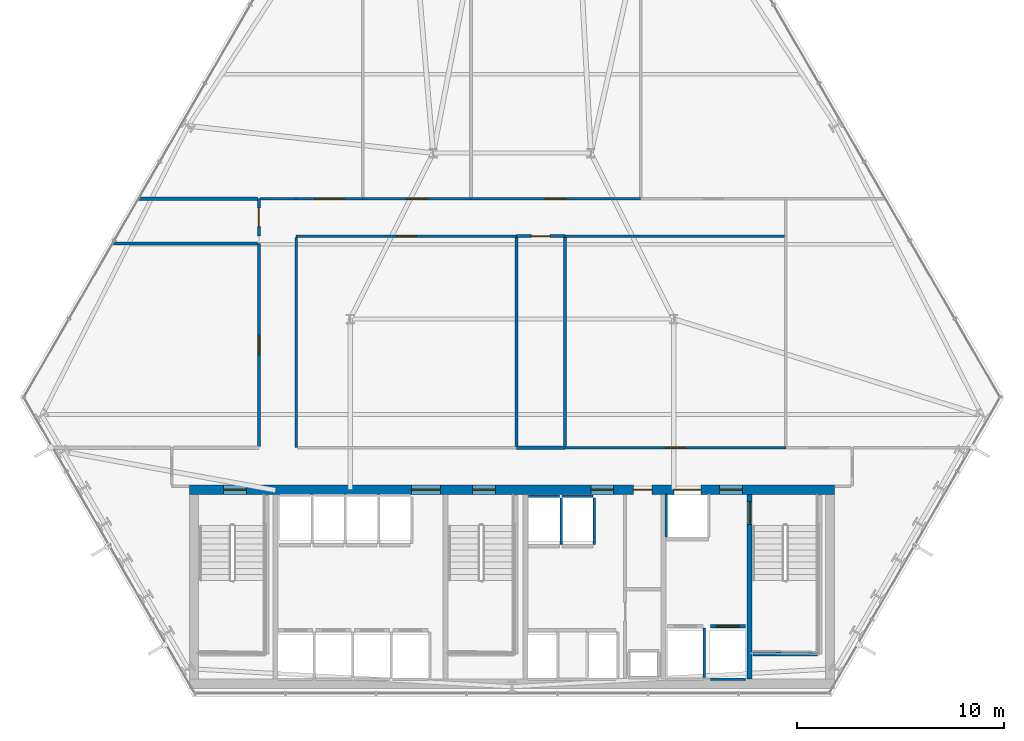
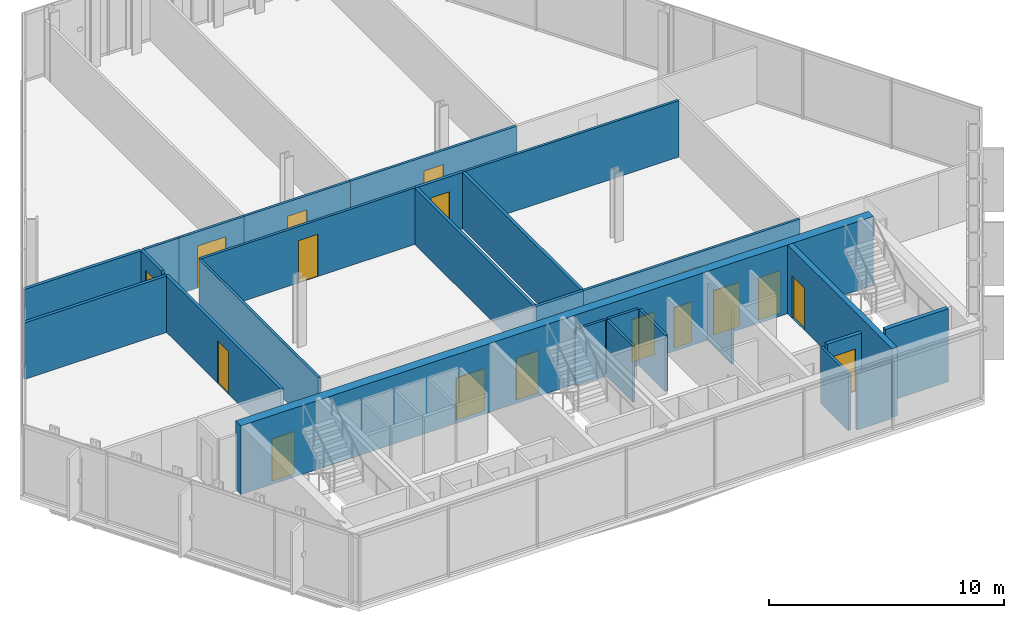
# One storey, part 28 of 33: 27 walls, 17 doors, 17 openings.
"""IFC4 building model written with IfcOpenShell, lengths in metres."""

from ifc_helpers import new_model, si_unit, direction, frame, frame_2d, origin, place, context, subcontext, project, spatial, rectangle, extrude, material, layer, layer_set, type_object, element, fill, save


model = new_model("IFC4")

# Units and contexts
model_context = context("Model", 3, precision=1e-05, world=origin(), true_north=direction((0.0, 1.0)))
body_context = subcontext(model_context, "Body", "Model", "MODEL_VIEW")
ifc_project = project(units=[si_unit("LENGTHUNIT", "METRE"), si_unit("AREAUNIT", "SQUARE_METRE"), si_unit("VOLUMEUNIT", "CUBIC_METRE"), si_unit("PLANEANGLEUNIT", "RADIAN"), si_unit("MASSUNIT", "GRAM", prefix="KILO")], contexts=[model_context])

# Site, building, storey
site_placement = place(None, origin())
site = spatial("IfcSite", under=ifc_project, at=site_placement, CompositionType="ELEMENT")
building_placement = place(site_placement, origin())
building = spatial("IfcBuilding", under=site, at=building_placement, Name="Ndaravel Arena Tower", CompositionType="ELEMENT")
storey_placement = place(building_placement, frame((0.0, 0.0, 36.0)))
storey = spatial("IfcBuildingStorey", under=building, at=storey_placement, Name="L06", CompositionType="ELEMENT", Elevation=36.0)

# Wall, opening, door
ifc_material_1 = material(Name="Concrete C60/75", Category="concrete")
ifc_layer_1 = layer(ifc_material_1, 0.25)
ifc_layer_set_1 = layer_set([ifc_layer_1], Name="Concrete C60/75")
wall_type_1 = type_object("IfcWallType", Name="WALL-CORE-250", PredefinedType="SOLIDWALL", material=ifc_layer_set_1)
wall_1_placement = place(storey_placement, frame((53.449951171875, 5.85009765625, 0.0), z_axis=(0.0, 0.0, 1.0), x_axis=(0.0, 1.0, 0.0)))
wall_1 = element("IfcWall", 1, at=wall_1_placement, inside=storey, type_object=wall_type_1, Name="L06 Core Web Shear Wall 5", PredefinedType="SOLIDWALL", context=body_context, shape_type="SweptSolid", body=[
    extrude(rectangle(XDim=8.89990234375, YDim=0.25, at=frame_2d((4.449951171875, 0.0))), origin(), (0.0, 0.0, 1.0), 3.580078125),
])
opening_1_placement = place(wall_1_placement, frame((7.449951171875, 0.0, 0.0)))
opening_1 = element("IfcOpeningElement", 2, at=opening_1_placement, cuts=wall_1, Name="Opening FD-01", PredefinedType="OPENING", context=body_context, shape_type="SweptSolid", body=[
    extrude(rectangle(XDim=1.10009765625, YDim=2.199951171875, at=frame_2d((0.550048828125, 1.10009765625))), frame((0.0, 0.125, 0.0), z_axis=(0.0, -1.0, 0.0), x_axis=(1.0, 0.0, 0.0)), (0.0, 0.0, 1.0), 0.25),
])
ifc_material_2 = material(Name="Steel S355", Category="steel")
door_type_1 = type_object("IfcDoorType", Name="DT-01-STAIR-1100", OperationType="SINGLE_SWING_LEFT", PredefinedType="DOOR", material=ifc_material_2)
door_1_placement = place(opening_1_placement, origin())
door_1 = element("IfcDoor", 3, at=door_1_placement, inside=storey, type_object=door_type_1, Name="L06 Firefighting Lobby to ST-3 Door", OperationType="SINGLE_SWING_LEFT", OverallHeight=2.199951171875, OverallWidth=1.10009765625, PredefinedType="DOOR", context=body_context, shape_type="SweptSolid", body=[
    extrude(rectangle(XDim=1.10009765625, YDim=2.199951171875, at=frame_2d((0.550048828125, 1.10009765625))), frame((0.0, 0.02490234375, 0.0), z_axis=(0.0, -1.0, 0.0), x_axis=(1.0, 0.0, 0.0)), (0.0, 0.0, 1.0), 0.050048828125),
])
fill(opening_1, door_1)

# Wall, openings, doors
ifc_material_3 = material(Name="Concrete C60/75", Category="concrete")
ifc_layer_2 = layer(ifc_material_3, 0.449951171875)
ifc_layer_set_2 = layer_set([ifc_layer_2], Name="Concrete C60/75")
wall_type_2 = type_object("IfcWallType", Name="WALL-CORE-450", PredefinedType="SOLIDWALL", material=ifc_layer_set_2)
wall_2_placement = place(storey_placement, frame((26.449951171875, 14.97509765625, 0.0), z_axis=(0.0, 0.0, 1.0), x_axis=(1.0, 0.0, 0.0)))
wall_2 = element("IfcWall", 4, at=wall_2_placement, inside=storey, type_object=wall_type_2, Name="L06 Core North Shear Wall", PredefinedType="SOLIDWALL", context=body_context, shape_type="SweptSolid", body=[
    extrude(rectangle(XDim=31.10009765625, YDim=0.449951171875, at=frame_2d((15.550048828125, 0.0))), origin(), (0.0, 0.0, 1.0), 3.580078125),
])
opening_2_placement = place(wall_2_placement, frame((1.64990234375, 0.0, 0.0)))
opening_2 = element("IfcOpeningElement", 5, at=opening_2_placement, cuts=wall_2, Name="Opening FD-01", PredefinedType="OPENING", context=body_context, shape_type="SweptSolid", body=[
    extrude(rectangle(XDim=1.10009765625, YDim=2.199951171875, at=frame_2d((0.550048828125, 1.10009765625))), frame((0.0, 0.22509765625, 0.0), z_axis=(0.0, -1.0, 0.0), x_axis=(1.0, 0.0, 0.0)), (0.0, 0.0, 1.0), 0.449951171875),
])
opening_3_placement = place(wall_2_placement, frame((13.64990234375, 0.0, 0.0)))
opening_3 = element("IfcOpeningElement", 6, at=opening_3_placement, cuts=wall_2, Name="Opening FD-01", PredefinedType="OPENING", context=body_context, shape_type="SweptSolid", body=[
    extrude(rectangle(XDim=1.10009765625, YDim=2.199951171875, at=frame_2d((0.550048828125, 1.10009765625))), frame((0.0, 0.22509765625, 0.0), z_axis=(0.0, -1.0, 0.0), x_axis=(1.0, 0.0, 0.0)), (0.0, 0.0, 1.0), 0.449951171875),
])
opening_4_placement = place(wall_2_placement, frame((25.550048828125, 0.0, 0.0)))
opening_4 = element("IfcOpeningElement", 7, at=opening_4_placement, cuts=wall_2, Name="Opening FD-01", PredefinedType="OPENING", context=body_context, shape_type="SweptSolid", body=[
    extrude(rectangle(XDim=1.10009765625, YDim=2.199951171875, at=frame_2d((0.550048828125, 1.10009765625))), frame((0.0, 0.22509765625, 0.0), z_axis=(0.0, -1.0, 0.0), x_axis=(1.0, 0.0, 0.0)), (0.0, 0.0, 1.0), 0.449951171875),
])
opening_5_placement = place(wall_2_placement, frame((10.699951171875, 0.0, 0.0)))
opening_5 = element("IfcOpeningElement", 8, at=opening_5_placement, cuts=wall_2, Name="Opening ID-02", PredefinedType="OPENING", context=body_context, shape_type="SweptSolid", body=[
    extrude(rectangle(XDim=1.39990234375, YDim=2.199951171875, at=frame_2d((0.699951171875, 1.10009765625))), frame((0.0, 0.22509765625, 0.0), z_axis=(0.0, -1.0, 0.0), x_axis=(1.0, 0.0, 0.0)), (0.0, 0.0, 1.0), 0.449951171875),
])
opening_6_placement = place(wall_2_placement, frame((19.35009765625, 0.0, 0.0)))
opening_6 = element("IfcOpeningElement", 9, at=opening_6_placement, cuts=wall_2, Name="Opening FD-01", PredefinedType="OPENING", context=body_context, shape_type="SweptSolid", body=[
    extrude(rectangle(XDim=1.10009765625, YDim=2.199951171875, at=frame_2d((0.550048828125, 1.10009765625))), frame((0.0, 0.22509765625, 0.0), z_axis=(0.0, -1.0, 0.0), x_axis=(1.0, 0.0, 0.0)), (0.0, 0.0, 1.0), 0.449951171875),
])
opening_7_placement = place(wall_2_placement, frame((21.39990234375, 0.0, 0.0)))
opening_7 = element("IfcOpeningElement", 10, at=opening_7_placement, cuts=wall_2, Name="Opening RD-01", PredefinedType="OPENING", context=body_context, shape_type="SweptSolid", body=[
    extrude(rectangle(XDim=0.89990234375, YDim=2.10009765625, at=frame_2d((0.449951171875, 1.050048828125))), frame((0.0, 0.22509765625, 0.0), z_axis=(0.0, -1.0, 0.0), x_axis=(1.0, 0.0, 0.0)), (0.0, 0.0, 1.0), 0.449951171875),
])
opening_8_placement = place(wall_2_placement, frame((23.35009765625, 0.0, 0.0)))
opening_8 = element("IfcOpeningElement", 11, at=opening_8_placement, cuts=wall_2, Name="Opening LD-02", PredefinedType="OPENING", context=body_context, shape_type="SweptSolid", body=[
    extrude(rectangle(XDim=1.300048828125, YDim=2.300048828125, at=frame_2d((0.64990234375, 1.14990234375))), frame((0.0, 0.22509765625, 0.0), z_axis=(0.0, -1.0, 0.0), x_axis=(1.0, 0.0, 0.0)), (0.0, 0.0, 1.0), 0.449951171875),
])
door_2_placement = place(opening_2_placement, origin())
door_2 = element("IfcDoor", 12, at=door_2_placement, inside=storey, type_object=door_type_1, Name="L06 Exit Stair ST-1 Door", OperationType="SINGLE_SWING_LEFT", OverallHeight=2.199951171875, OverallWidth=1.10009765625, PredefinedType="DOOR", context=body_context, shape_type="SweptSolid", body=[
    extrude(rectangle(XDim=1.10009765625, YDim=2.199951171875, at=frame_2d((0.550048828125, 1.10009765625))), frame((0.0, 0.02490234375, 0.0), z_axis=(0.0, -1.0, 0.0), x_axis=(1.0, 0.0, 0.0)), (0.0, 0.0, 1.0), 0.050048828125),
])
fill(opening_2, door_2)
door_3_placement = place(opening_3_placement, origin())
door_3 = element("IfcDoor", 13, at=door_3_placement, inside=storey, type_object=door_type_1, Name="L06 Exit Stair ST-2 Door", OperationType="SINGLE_SWING_RIGHT", OverallHeight=2.199951171875, OverallWidth=1.10009765625, PredefinedType="DOOR", context=body_context, shape_type="SweptSolid", body=[
    extrude(rectangle(XDim=1.10009765625, YDim=2.199951171875, at=frame_2d((0.550048828125, 1.10009765625))), frame((0.0, 0.02490234375, 0.0), z_axis=(0.0, -1.0, 0.0), x_axis=(1.0, 0.0, 0.0)), (0.0, 0.0, 1.0), 0.050048828125),
])
fill(opening_3, door_3)
door_4_placement = place(opening_4_placement, origin())
door_4 = element("IfcDoor", 14, at=door_4_placement, inside=storey, type_object=door_type_1, Name="L06 Firefighting Lift Lobby Door", OperationType="SINGLE_SWING_RIGHT", OverallHeight=2.199951171875, OverallWidth=1.10009765625, PredefinedType="DOOR", context=body_context, shape_type="SweptSolid", body=[
    extrude(rectangle(XDim=1.10009765625, YDim=2.199951171875, at=frame_2d((0.550048828125, 1.10009765625))), frame((0.0, 0.02490234375, 0.0), z_axis=(0.0, -1.0, 0.0), x_axis=(1.0, 0.0, 0.0)), (0.0, 0.0, 1.0), 0.050048828125),
])
fill(opening_4, door_4)
door_5_placement = place(opening_6_placement, origin())
door_5 = element("IfcDoor", 15, at=door_5_placement, inside=storey, type_object=door_type_1, Name="L06 Express Lift Lobby Entry Door", OperationType="SINGLE_SWING_LEFT", OverallHeight=2.199951171875, OverallWidth=1.10009765625, PredefinedType="DOOR", context=body_context, shape_type="SweptSolid", body=[
    extrude(rectangle(XDim=1.10009765625, YDim=2.199951171875, at=frame_2d((0.550048828125, 1.10009765625))), frame((0.0, 0.02490234375, 0.0), z_axis=(0.0, -1.0, 0.0), x_axis=(1.0, 0.0, 0.0)), (0.0, 0.0, 1.0), 0.050048828125),
])
fill(opening_6, door_5)
ifc_material_4 = material(Name="Timber", Category="wood")
door_type_2 = type_object("IfcDoorType", Name="DT-04-SUITE-1400", OperationType="DOUBLE_DOOR_SINGLE_SWING", PredefinedType="DOOR", material=ifc_material_4)
door_6_placement = place(opening_5_placement, origin())
door_6 = element("IfcDoor", 16, at=door_6_placement, inside=storey, type_object=door_type_2, Name="L06 West Lift Lobby Entry Door", OperationType="DOUBLE_DOOR_SINGLE_SWING", OverallHeight=2.199951171875, OverallWidth=1.39990234375, PredefinedType="DOOR", context=body_context, shape_type="SweptSolid", body=[
    extrude(rectangle(XDim=1.39990234375, YDim=2.199951171875, at=frame_2d((0.699951171875, 1.10009765625))), frame((0.0, 0.02490234375, 0.0), z_axis=(0.0, -1.0, 0.0), x_axis=(1.0, 0.0, 0.0)), (0.0, 0.0, 1.0), 0.050048828125),
])
fill(opening_5, door_6)
ifc_material_5 = material(Name="Steel S355", Category="steel")
door_type_3 = type_object("IfcDoorType", Name="DT-07-SVLIFT-1300", OperationType="DOUBLE_DOOR_SLIDING", PredefinedType="DOOR", material=ifc_material_5)
door_7_placement = place(opening_8_placement, origin())
door_7 = element("IfcDoor", 17, at=door_7_placement, inside=storey, type_object=door_type_3, Name="L06 Lift SVL-1 Sliding Landing Door", OperationType="DOUBLE_DOOR_SLIDING", OverallHeight=2.300048828125, OverallWidth=1.300048828125, PredefinedType="DOOR", context=body_context, shape_type="SweptSolid", body=[
    extrude(rectangle(XDim=1.300048828125, YDim=2.300048828125, at=frame_2d((0.64990234375, 1.14990234375))), frame((0.0, 0.02490234375, 0.0), z_axis=(0.0, -1.0, 0.0), x_axis=(1.0, 0.0, 0.0)), (0.0, 0.0, 1.0), 0.050048828125),
])
fill(opening_8, door_7)
ifc_material_6 = material(Name="Steel S355", Category="steel")
door_type_4 = type_object("IfcDoorType", Name="DT-08-RISER-900", OperationType="SINGLE_SWING_LEFT", PredefinedType="DOOR", material=ifc_material_6)
door_8_placement = place(opening_7_placement, origin())
door_8 = element("IfcDoor", 18, at=door_8_placement, inside=storey, type_object=door_type_4, Name="L06 Core Service Riser North Door", OperationType="SINGLE_SWING_LEFT", OverallHeight=2.10009765625, OverallWidth=0.89990234375, PredefinedType="DOOR", context=body_context, shape_type="SweptSolid", body=[
    extrude(rectangle(XDim=0.89990234375, YDim=2.10009765625, at=frame_2d((0.449951171875, 1.050048828125))), frame((0.0, 0.02490234375, 0.0), z_axis=(0.0, -1.0, 0.0), x_axis=(1.0, 0.0, 0.0)), (0.0, 0.0, 1.0), 0.050048828125),
])
fill(opening_7, door_8)

# Wall
ifc_material_7 = material(Name="Gypsum", Category="gypsum")
ifc_layer_3 = layer(ifc_material_7, 0.125)
ifc_layer_set_3 = layer_set([ifc_layer_3], Name="Gypsum")
wall_type_3 = type_object("IfcWallType", Name="WALL-PART-125", PredefinedType="PARTITIONING", material=ifc_layer_set_3)
wall_3_placement = place(storey_placement, frame((29.864990234375, 29.0, 0.0), z_axis=(0.0, 0.0, 1.0), x_axis=(1.0, 0.0, 0.0)))
element("IfcWall", 19, at=wall_3_placement, inside=storey, type_object=wall_type_3, Name="L06 Interior Partition 008", PredefinedType="PARTITIONING", context=body_context, shape_type="SweptSolid", body=[
    extrude(rectangle(XDim=1.735107421875, YDim=0.125, at=frame_2d((0.86767578125, 0.0))), origin(), (0.0, 0.0, 1.0), 2.932861328125),
])

# Wall, opening, door
wall_4_placement = place(storey_placement, frame((31.60009765625, 29.0, 0.0), z_axis=(0.0, 0.0, 1.0), x_axis=(1.0, 0.0, 0.0)))
wall_4 = element("IfcWall", 20, at=wall_4_placement, inside=storey, type_object=wall_type_3, Name="L06 Interior Partition 009", PredefinedType="PARTITIONING", context=body_context, shape_type="SweptSolid", body=[
    extrude(rectangle(XDim=3.199951171875, YDim=0.125, at=frame_2d((1.60009765625, 0.0))), origin(), (0.0, 0.0, 1.0), 2.932861328125),
])
opening_9_placement = place(wall_4_placement, frame((0.89990234375, 0.0, 0.0)))
opening_9 = element("IfcOpeningElement", 21, at=opening_9_placement, cuts=wall_4, Name="Opening ID-02", PredefinedType="OPENING", context=body_context, shape_type="SweptSolid", body=[
    extrude(rectangle(XDim=1.39990234375, YDim=2.199951171875, at=frame_2d((0.699951171875, 1.10009765625))), frame((0.0, 0.0625, 0.0), z_axis=(0.0, -1.0, 0.0), x_axis=(1.0, 0.0, 0.0)), (0.0, 0.0, 1.0), 0.125),
])
door_9_placement = place(opening_9_placement, origin())
door_9 = element("IfcDoor", 22, at=door_9_placement, inside=storey, type_object=door_type_2, Name="L06 Client Conference Room 2 Door", OperationType="SINGLE_SWING_LEFT", OverallHeight=2.199951171875, OverallWidth=1.39990234375, PredefinedType="DOOR", context=body_context, shape_type="SweptSolid", body=[
    extrude(rectangle(XDim=1.39990234375, YDim=2.199951171875, at=frame_2d((0.699951171875, 1.10009765625))), frame((0.0, 0.02490234375, 0.0), z_axis=(0.0, -1.0, 0.0), x_axis=(1.0, 0.0, 0.0)), (0.0, 0.0, 1.0), 0.050048828125),
])
fill(opening_9, door_9)

wall_5_placement = place(storey_placement, frame((34.800048828125, 29.0, 0.0), z_axis=(0.0, 0.0, 1.0), x_axis=(1.0, 0.0, 0.0)))
wall_5 = element("IfcWall", 23, at=wall_5_placement, inside=storey, type_object=wall_type_3, Name="L06 Interior Partition 010", PredefinedType="PARTITIONING", context=body_context, shape_type="SweptSolid", body=[
    extrude(rectangle(XDim=5.225830078125, YDim=0.125, at=frame_2d((2.61279296875, 0.0))), origin(), (0.0, 0.0, 1.0), 2.932861328125),
])
opening_10_placement = place(wall_5_placement, frame((2.137939453125, 0.0, 0.0)))
opening_10 = element("IfcOpeningElement", 24, at=opening_10_placement, cuts=wall_5, Name="Opening ID-01", PredefinedType="OPENING", context=body_context, shape_type="SweptSolid", body=[
    extrude(rectangle(XDim=0.949951171875, YDim=2.199951171875, at=frame_2d((0.47509765625, 1.10009765625))), frame((0.0, 0.0625, 0.0), z_axis=(0.0, -1.0, 0.0), x_axis=(1.0, 0.0, 0.0)), (0.0, 0.0, 1.0), 0.125),
])
ifc_material_8 = material(Name="Timber", Category="wood")
door_type_5 = type_object("IfcDoorType", Name="DT-03-OFFICE-950", OperationType="SINGLE_SWING_LEFT", PredefinedType="DOOR", material=ifc_material_8)
door_10_placement = place(opening_10_placement, origin())
door_10 = element("IfcDoor", 25, at=door_10_placement, inside=storey, type_object=door_type_5, Name="L06 Training Classroom 4 Door", OperationType="SINGLE_SWING_RIGHT", OverallHeight=2.199951171875, OverallWidth=0.949951171875, PredefinedType="DOOR", context=body_context, shape_type="SweptSolid", body=[
    extrude(rectangle(XDim=0.949951171875, YDim=2.199951171875, at=frame_2d((0.47509765625, 1.10009765625))), frame((0.0, 0.02490234375, 0.0), z_axis=(0.0, -1.0, 0.0), x_axis=(1.0, 0.0, 0.0)), (0.0, 0.0, 1.0), 0.050048828125),
])
fill(opening_10, door_10)

wall_6_placement = place(storey_placement, frame((40.02587890625, 29.0, 0.0), z_axis=(0.0, 0.0, 1.0), x_axis=(1.0, 0.0, 0.0)))
wall_6 = element("IfcWall", 26, at=wall_6_placement, inside=storey, type_object=wall_type_3, Name="L06 Interior Partition 011", PredefinedType="PARTITIONING", context=body_context, shape_type="SweptSolid", body=[
    extrude(rectangle(XDim=8.174072265625, YDim=0.125, at=frame_2d((4.0869140625, 0.0))), origin(), (0.0, 0.0, 1.0), 2.932861328125),
])
opening_11_placement = place(wall_6_placement, frame((3.612060546875, 0.0, 0.0)))
opening_11 = element("IfcOpeningElement", 27, at=opening_11_placement, cuts=wall_6, Name="Opening ID-01", PredefinedType="OPENING", context=body_context, shape_type="SweptSolid", body=[
    extrude(rectangle(XDim=0.949951171875, YDim=2.199951171875, at=frame_2d((0.47509765625, 1.10009765625))), frame((0.0, 0.0625, 0.0), z_axis=(0.0, -1.0, 0.0), x_axis=(1.0, 0.0, 0.0)), (0.0, 0.0, 1.0), 0.125),
])
door_11_placement = place(opening_11_placement, origin())
door_11 = element("IfcDoor", 28, at=door_11_placement, inside=storey, type_object=door_type_5, Name="L06 Executive Corner Office 4 Door", OperationType="SINGLE_SWING_LEFT", OverallHeight=2.199951171875, OverallWidth=0.949951171875, PredefinedType="DOOR", context=body_context, shape_type="SweptSolid", body=[
    extrude(rectangle(XDim=0.949951171875, YDim=2.199951171875, at=frame_2d((0.47509765625, 1.10009765625))), frame((0.0, 0.02490234375, 0.0), z_axis=(0.0, -1.0, 0.0), x_axis=(1.0, 0.0, 0.0)), (0.0, 0.0, 1.0), 0.050048828125),
])
fill(opening_11, door_11)

# Wall
wall_7_placement = place(storey_placement, frame((55.135009765625, 27.199951171875, 0.0), z_axis=(0.0, 0.0, 1.0), x_axis=(-1.0, 0.0, 0.0)))
element("IfcWall", 29, at=wall_7_placement, inside=storey, type_object=wall_type_3, Name="L06 Interior Partition 014", PredefinedType="PARTITIONING", context=body_context, shape_type="SweptSolid", body=[
    extrude(rectangle(XDim=10.57861328125, YDim=0.125, at=frame_2d((5.289306640625, 0.0))), origin(), (0.0, 0.0, 1.0), 2.932861328125),
])

# Wall, opening, door
wall_8_placement = place(storey_placement, frame((42.219970703125, 27.199951171875, 0.0), z_axis=(0.0, 0.0, 1.0), x_axis=(-1.0, 0.0, 0.0)))
wall_8 = element("IfcWall", 30, at=wall_8_placement, inside=storey, type_object=wall_type_3, Name="L06 Interior Partition 016", PredefinedType="PARTITIONING", context=body_context, shape_type="SweptSolid", body=[
    extrude(rectangle(XDim=10.619873046875, YDim=0.125, at=frame_2d((5.31005859375, 0.0))), origin(), (0.0, 0.0, 1.0), 2.932861328125),
])
opening_12_placement = place(wall_8_placement, frame((4.8349609375, 0.0, 0.0)))
opening_12 = element("IfcOpeningElement", 31, at=opening_12_placement, cuts=wall_8, Name="Opening ID-01", PredefinedType="OPENING", context=body_context, shape_type="SweptSolid", body=[
    extrude(rectangle(XDim=0.949951171875, YDim=2.199951171875, at=frame_2d((0.47509765625, 1.10009765625))), frame((0.0, 0.0625, 0.0), z_axis=(0.0, -1.0, 0.0), x_axis=(1.0, 0.0, 0.0)), (0.0, 0.0, 1.0), 0.125),
])
door_12_placement = place(opening_12_placement, origin())
door_12 = element("IfcDoor", 32, at=door_12_placement, inside=storey, type_object=door_type_5, Name="L06 Staff Wellness Clinic Door", OperationType="SINGLE_SWING_RIGHT", OverallHeight=2.199951171875, OverallWidth=0.949951171875, PredefinedType="DOOR", context=body_context, shape_type="SweptSolid", body=[
    extrude(rectangle(XDim=0.949951171875, YDim=2.199951171875, at=frame_2d((0.47509765625, 1.10009765625))), frame((0.0, 0.02490234375, 0.0), z_axis=(0.0, -1.0, 0.0), x_axis=(1.0, 0.0, 0.0)), (0.0, 0.0, 1.0), 0.050048828125),
])
fill(opening_12, door_12)

# Wall
wall_9_placement = place(storey_placement, frame((31.60009765625, 27.135009765625, 0.0), z_axis=(0.0, 0.0, 1.0), x_axis=(0.0, -1.0, 0.0)))
element("IfcWall", 33, at=wall_9_placement, inside=storey, type_object=wall_type_3, Name="L06 Interior Partition 017", PredefinedType="PARTITIONING", context=body_context, shape_type="SweptSolid", body=[
    extrude(rectangle(XDim=10.135009765625, YDim=0.125, at=frame_2d((5.0673828125, 0.0))), origin(), (0.0, 0.0, 1.0), 2.932861328125),
])

# Wall, opening, door
wall_10_placement = place(storey_placement, frame((44.556396484375, 17.0, 0.0), z_axis=(0.0, 0.0, 1.0), x_axis=(1.0, 0.0, 0.0)))
wall_10 = element("IfcWall", 34, at=wall_10_placement, inside=storey, type_object=wall_type_3, Name="L06 Interior Partition 020", PredefinedType="PARTITIONING", context=body_context, shape_type="SweptSolid", body=[
    extrude(rectangle(XDim=10.6435546875, YDim=0.125, at=frame_2d((5.32177734375, 0.0))), origin(), (0.0, 0.0, 1.0), 2.932861328125),
])
opening_13_placement = place(wall_10_placement, frame((4.8466796875, 0.0, 0.0)))
opening_13 = element("IfcOpeningElement", 35, at=opening_13_placement, cuts=wall_10, Name="Opening ID-01", PredefinedType="OPENING", context=body_context, shape_type="SweptSolid", body=[
    extrude(rectangle(XDim=0.949951171875, YDim=2.199951171875, at=frame_2d((0.47509765625, 1.10009765625))), frame((0.0, 0.0625, 0.0), z_axis=(0.0, -1.0, 0.0), x_axis=(1.0, 0.0, 0.0)), (0.0, 0.0, 1.0), 0.125),
])
door_13_placement = place(opening_13_placement, origin())
door_13 = element("IfcDoor", 36, at=door_13_placement, inside=storey, type_object=door_type_5, Name="L06 Cellular Partner Office 2 Door", OperationType="SINGLE_SWING_RIGHT", OverallHeight=2.199951171875, OverallWidth=0.949951171875, PredefinedType="DOOR", context=body_context, shape_type="SweptSolid", body=[
    extrude(rectangle(XDim=0.949951171875, YDim=2.199951171875, at=frame_2d((0.47509765625, 1.10009765625))), frame((0.0, 0.02490234375, 0.0), z_axis=(0.0, -1.0, 0.0), x_axis=(1.0, 0.0, 0.0)), (0.0, 0.0, 1.0), 0.050048828125),
])
fill(opening_13, door_13)

# Walls
ifc_material_9 = material(Name="Concrete C40/50", Category="concrete")
ifc_layer_4 = layer(ifc_material_9, 0.1201171875)
ifc_layer_set_4 = layer_set([ifc_layer_4], Name="Concrete C40/50")
wall_type_4 = type_object("IfcWallType", Name="WALL-SHAFT-120", PredefinedType="SOLIDWALL", material=ifc_layer_set_4)
wall_11_placement = place(storey_placement, frame((42.804931640625, 14.659912109375, 0.0), z_axis=(0.0, 0.0, 1.0), x_axis=(1.0, 0.0, 0.0)))
element("IfcWall", 37, at=wall_11_placement, inside=storey, type_object=wall_type_4, Name="L06 PL-OBS1 Shaft Rear Wall", PredefinedType="SOLIDWALL", context=body_context, shape_type="SweptSolid", body=[
    extrude(rectangle(XDim=1.489990234375, YDim=0.1201171875, at=frame_2d((0.7451171875, 0.0))), origin(), (0.0, 0.0, 1.0), 2.932861328125),
])
wall_12_placement = place(storey_placement, frame((44.375, 12.340087890625, 0.0), z_axis=(0.0, 0.0, 1.0), x_axis=(0.0, 1.0, 0.0)))
element("IfcWall", 38, at=wall_12_placement, inside=storey, type_object=wall_type_4, Name="L06 PL-OBS1 Shaft Side R Wall", PredefinedType="SOLIDWALL", context=body_context, shape_type="SweptSolid", body=[
    extrude(rectangle(XDim=2.22998046875, YDim=0.1201171875, at=frame_2d((1.114990234375, 0.0))), origin(), (0.0, 0.0, 1.0), 2.932861328125),
])
wall_13_placement = place(storey_placement, frame((44.405029296875, 14.659912109375, 0.0), z_axis=(0.0, 0.0, 1.0), x_axis=(1.0, 0.0, 0.0)))
element("IfcWall", 39, at=wall_13_placement, inside=storey, type_object=wall_type_4, Name="L06 PL-OBS2 Shaft Rear Wall", PredefinedType="SOLIDWALL", context=body_context, shape_type="SweptSolid", body=[
    extrude(rectangle(XDim=1.489990234375, YDim=0.1201171875, at=frame_2d((0.7451171875, 0.0))), origin(), (0.0, 0.0, 1.0), 2.932861328125),
])
wall_14_placement = place(storey_placement, frame((45.97509765625, 12.340087890625, 0.0), z_axis=(0.0, 0.0, 1.0), x_axis=(0.0, 1.0, 0.0)))
element("IfcWall", 40, at=wall_14_placement, inside=storey, type_object=wall_type_4, Name="L06 PL-OBS2 Shaft Side R Wall", PredefinedType="SOLIDWALL", context=body_context, shape_type="SweptSolid", body=[
    extrude(rectangle(XDim=2.22998046875, YDim=0.1201171875, at=frame_2d((1.114990234375, 0.0))), origin(), (0.0, 0.0, 1.0), 2.932861328125),
])
wall_15_placement = place(storey_placement, frame((51.27490234375, 5.929931640625, 0.0), z_axis=(0.0, 0.0, 1.0), x_axis=(0.0, 1.0, 0.0)))
element("IfcWall", 41, at=wall_15_placement, inside=storey, type_object=wall_type_4, Name="L06 FFL-1 Shaft Side R Wall", PredefinedType="SOLIDWALL", context=body_context, shape_type="SweptSolid", body=[
    extrude(rectangle(XDim=2.380126953125, YDim=0.1201171875, at=frame_2d((1.18994140625, 0.0))), origin(), (0.0, 0.0, 1.0), 2.932861328125),
])
wall_16_placement = place(storey_placement, frame((51.554931640625, 5.840087890625, 0.0), z_axis=(0.0, 0.0, 1.0), x_axis=(1.0, 0.0, 0.0)))
element("IfcWall", 42, at=wall_16_placement, inside=storey, type_object=wall_type_4, Name="L06 FFL-2 Shaft Rear Wall", PredefinedType="SOLIDWALL", context=body_context, shape_type="SweptSolid", body=[
    extrude(rectangle(XDim=1.690185546875, YDim=0.1201171875, at=frame_2d((0.84521484375, 0.0))), origin(), (0.0, 0.0, 1.0), 2.932861328125),
])
wall_17_placement = place(storey_placement, frame((49.43994140625, 12.68994140625, 0.0), z_axis=(0.0, 0.0, 1.0), x_axis=(0.0, 1.0, 0.0)))
element("IfcWall", 43, at=wall_17_placement, inside=storey, type_object=wall_type_4, Name="L06 SVL-1 Shaft W Wall", PredefinedType="SOLIDWALL", context=body_context, shape_type="SweptSolid", body=[
    extrude(rectangle(XDim=2.070068359375, YDim=0.1201171875, at=frame_2d((1.03515625, 0.0))), origin(), (0.0, 0.0, 1.0), 2.932861328125),
])
ifc_material_10 = material(Name="Concrete C40/50", Category="concrete")
ifc_layer_5 = layer(ifc_material_10, 0.199951171875)
ifc_layer_set_5 = layer_set([ifc_layer_5], Name="Concrete C40/50")
wall_type_5 = type_object("IfcWallType", Name="WALL-SHAFT-200", PredefinedType="SOLIDWALL", material=ifc_layer_set_5)
wall_18_placement = place(storey_placement, frame((53.6201171875, 7.050048828125, 0.0), z_axis=(0.0, 0.0, 1.0), x_axis=(1.0, 0.0, 0.0)))
element("IfcWall", 44, at=wall_18_placement, inside=storey, type_object=wall_type_5, Name="L06 ST-3 Structural Shaft Wall Far", PredefinedType="SOLIDWALL", context=body_context, shape_type="SweptSolid", body=[
    extrude(rectangle(XDim=3.114990234375, YDim=0.199951171875, at=frame_2d((1.5576171875, 0.0))), origin(), (0.0, 0.0, 1.0), 3.800048828125),
])

# Wall, opening, door
wall_19_placement = place(storey_placement, frame((51.554931640625, 8.39990234375, 0.0), z_axis=(0.0, 0.0, 1.0), x_axis=(1.0, 0.0, 0.0)))
wall_19 = element("IfcWall", 45, at=wall_19_placement, inside=storey, type_object=wall_type_5, Name="L06 FFL-2 Shaft Landing Wall", PredefinedType="SOLIDWALL", context=body_context, shape_type="SweptSolid", body=[
    extrude(rectangle(XDim=1.690185546875, YDim=0.179931640625, at=frame_2d((0.84521484375, 0.0))), origin(), (0.0, 0.0, 1.0), 2.932861328125),
])
opening_14_placement = place(wall_19_placement, frame((0.294921875, 0.0, 0.0)))
opening_14 = element("IfcOpeningElement", 46, at=opening_14_placement, cuts=wall_19, Name="Opening LD-01", PredefinedType="OPENING", context=body_context, shape_type="SweptSolid", body=[
    extrude(rectangle(XDim=1.10009765625, YDim=2.199951171875, at=frame_2d((0.550048828125, 1.10009765625))), frame((0.0, 0.08984375, 0.0), z_axis=(0.0, -1.0, 0.0), x_axis=(1.0, 0.0, 0.0)), (0.0, 0.0, 1.0), 0.179931640625),
])
ifc_material_11 = material(Name="Steel S355", Category="steel")
door_type_6 = type_object("IfcDoorType", Name="DT-06-LIFT-1100", OperationType="SLIDING_TO_LEFT", PredefinedType="DOOR", material=ifc_material_11)
door_14_placement = place(opening_14_placement, origin())
door_14 = element("IfcDoor", 47, at=door_14_placement, inside=storey, type_object=door_type_6, Name="L06 Lift FFL-2 Sliding Landing Door", OperationType="SLIDING_TO_LEFT", OverallHeight=2.199951171875, OverallWidth=1.10009765625, PredefinedType="DOOR", context=body_context, shape_type="SweptSolid", body=[
    extrude(rectangle(XDim=1.10009765625, YDim=2.199951171875, at=frame_2d((0.550048828125, 1.10009765625))), frame((0.0, 0.02490234375, 0.0), z_axis=(0.0, -1.0, 0.0), x_axis=(1.0, 0.0, 0.0)), (0.0, 0.0, 1.0), 0.050048828125),
])
fill(opening_14, door_14)

ifc_material_12 = material(Name="Masonry", Category="masonry")
ifc_layer_6 = layer(ifc_material_12, 0.14990234375)
ifc_layer_set_6 = layer_set([ifc_layer_6], Name="Masonry")
wall_type_6 = type_object("IfcWallType", Name="WALL-WET-150", PredefinedType="PARTITIONING", material=ifc_layer_set_6)
wall_20_placement = place(storey_placement, frame((29.800048828125, 17.06494140625, 0.0), z_axis=(0.0, 0.0, 1.0), x_axis=(0.0, 1.0, 0.0)))
wall_20 = element("IfcWall", 48, at=wall_20_placement, inside=storey, type_object=wall_type_6, Name="L06 Interior Partition 006", PredefinedType="PARTITIONING", context=body_context, shape_type="SweptSolid", body=[
    extrude(rectangle(XDim=9.775146484375, YDim=0.14990234375, at=frame_2d((4.8876953125, 0.0))), origin(), (0.0, 0.0, 1.0), 2.932861328125),
])
opening_15_placement = place(wall_20_placement, frame((4.41259765625, 0.0, 0.0)))
opening_15 = element("IfcOpeningElement", 49, at=opening_15_placement, cuts=wall_20, Name="Opening FD-03", PredefinedType="OPENING", context=body_context, shape_type="SweptSolid", body=[
    extrude(rectangle(XDim=0.949951171875, YDim=2.199951171875, at=frame_2d((0.47509765625, 1.10009765625))), frame((0.0, 0.074951171875, 0.0), z_axis=(0.0, -1.0, 0.0), x_axis=(1.0, 0.0, 0.0)), (0.0, 0.0, 1.0), 0.14990234375),
])
ifc_material_13 = material(Name="Steel S355", Category="steel")
door_type_7 = type_object("IfcDoorType", Name="DT-11-CORE-950", OperationType="SINGLE_SWING_LEFT", PredefinedType="DOOR", material=ifc_material_13)
door_15_placement = place(opening_15_placement, origin())
door_15 = element("IfcDoor", 50, at=door_15_placement, inside=storey, type_object=door_type_7, Name="L06 Staff Espresso Kitchen Door", OperationType="SINGLE_SWING_LEFT", OverallHeight=2.199951171875, OverallWidth=0.949951171875, PredefinedType="DOOR", context=body_context, shape_type="SweptSolid", body=[
    extrude(rectangle(XDim=0.949951171875, YDim=2.199951171875, at=frame_2d((0.47509765625, 1.10009765625))), frame((0.0, 0.02490234375, 0.0), z_axis=(0.0, -1.0, 0.0), x_axis=(1.0, 0.0, 0.0)), (0.0, 0.0, 1.0), 0.050048828125),
])
fill(opening_15, door_15)

wall_21_placement = place(storey_placement, frame((29.800048828125, 27.199951171875, 0.0), z_axis=(0.0, 0.0, 1.0), x_axis=(0.0, 1.0, 0.0)))
wall_21 = element("IfcWall", 51, at=wall_21_placement, inside=storey, type_object=wall_type_6, Name="L06 Interior Partition 007", PredefinedType="PARTITIONING", context=body_context, shape_type="SweptSolid", body=[
    extrude(rectangle(XDim=1.800048828125, YDim=0.14990234375, at=frame_2d((0.89990234375, 0.0))), origin(), (0.0, 0.0, 1.0), 2.932861328125),
])
opening_16_placement = place(wall_21_placement, frame((0.449951171875, 0.0, 0.0)))
opening_16 = element("IfcOpeningElement", 52, at=opening_16_placement, cuts=wall_21, Name="Opening WD-01", PredefinedType="OPENING", context=body_context, shape_type="SweptSolid", body=[
    extrude(rectangle(XDim=0.89990234375, YDim=2.14990234375, at=frame_2d((0.449951171875, 1.074951171875))), frame((0.0, 0.074951171875, 0.0), z_axis=(0.0, -1.0, 0.0), x_axis=(1.0, 0.0, 0.0)), (0.0, 0.0, 1.0), 0.14990234375),
])
ifc_material_14 = material(Name="Timber", Category="wood")
door_type_8 = type_object("IfcDoorType", Name="DT-05-WC-900", OperationType="SINGLE_SWING_LEFT", PredefinedType="DOOR", material=ifc_material_14)
door_16_placement = place(opening_16_placement, origin())
door_16 = element("IfcDoor", 53, at=door_16_placement, inside=storey, type_object=door_type_8, Name="L06 Female & Accessible Restroom Door", OperationType="SINGLE_SWING_RIGHT", OverallHeight=2.14990234375, OverallWidth=0.89990234375, PredefinedType="DOOR", context=body_context, shape_type="SweptSolid", body=[
    extrude(rectangle(XDim=0.89990234375, YDim=2.14990234375, at=frame_2d((0.449951171875, 1.074951171875))), frame((0.0, 0.02490234375, 0.0), z_axis=(0.0, -1.0, 0.0), x_axis=(1.0, 0.0, 0.0)), (0.0, 0.0, 1.0), 0.050048828125),
])
fill(opening_16, door_16)

wall_22_placement = place(storey_placement, frame((44.556396484375, 27.199951171875, 0.0), z_axis=(0.0, 0.0, 1.0), x_axis=(-1.0, 0.0, 0.0)))
wall_22 = element("IfcWall", 54, at=wall_22_placement, inside=storey, type_object=wall_type_6, Name="L06 Interior Partition 015", PredefinedType="PARTITIONING", context=body_context, shape_type="SweptSolid", body=[
    extrude(rectangle(XDim=2.33642578125, YDim=0.14990234375, at=frame_2d((1.168212890625, 0.0))), origin(), (0.0, 0.0, 1.0), 2.932861328125),
])
opening_17_placement = place(wall_22_placement, frame((0.71826171875, 0.0, 0.0)))
opening_17 = element("IfcOpeningElement", 55, at=opening_17_placement, cuts=wall_22, Name="Opening WD-01", PredefinedType="OPENING", context=body_context, shape_type="SweptSolid", body=[
    extrude(rectangle(XDim=0.89990234375, YDim=2.14990234375, at=frame_2d((0.449951171875, 1.074951171875))), frame((0.0, 0.074951171875, 0.0), z_axis=(0.0, -1.0, 0.0), x_axis=(1.0, 0.0, 0.0)), (0.0, 0.0, 1.0), 0.14990234375),
])
door_17_placement = place(opening_17_placement, origin())
door_17 = element("IfcDoor", 56, at=door_17_placement, inside=storey, type_object=door_type_8, Name="L06 Male Staff & Visitor Restroom Door", OperationType="SINGLE_SWING_LEFT", OverallHeight=2.14990234375, OverallWidth=0.89990234375, PredefinedType="DOOR", context=body_context, shape_type="SweptSolid", body=[
    extrude(rectangle(XDim=0.89990234375, YDim=2.14990234375, at=frame_2d((0.449951171875, 1.074951171875))), frame((0.0, 0.02490234375, 0.0), z_axis=(0.0, -1.0, 0.0), x_axis=(1.0, 0.0, 0.0)), (0.0, 0.0, 1.0), 0.050048828125),
])
fill(opening_17, door_17)

# Walls
wall_23_placement = place(storey_placement, frame((42.219970703125, 17.0, 0.0), z_axis=(0.0, 0.0, 1.0), x_axis=(1.0, 0.0, 0.0)))
element("IfcWall", 57, at=wall_23_placement, inside=storey, type_object=wall_type_6, Name="L06 Interior Partition 019", PredefinedType="PARTITIONING", context=body_context, shape_type="SweptSolid", body=[
    extrude(rectangle(XDim=2.33642578125, YDim=0.14990234375, at=frame_2d((1.168212890625, 0.0))), origin(), (0.0, 0.0, 1.0), 2.932861328125),
])
wall_24_placement = place(storey_placement, frame((22.751220703125, 26.840087890625, 0.0), z_axis=(0.0, 0.0, 1.0), x_axis=(1.0, 0.0, 0.0)))
element("IfcWall", 58, at=wall_24_placement, inside=storey, type_object=wall_type_6, Name="L06 Interior Partition 026", PredefinedType="PARTITIONING", context=body_context, shape_type="SweptSolid", body=[
    extrude(rectangle(XDim=6.98388671875, YDim=0.14990234375, at=frame_2d((3.491943359375, 0.0))), origin(), (0.0, 0.0, 1.0), 2.932861328125),
])
for number, where, z_axis, x_axis, name in (
    (59, (42.219970703125, 27.135009765625, 0.0), (0.0, 0.0, 1.0), (0.0, -1.0, 0.0), "L06 Interior Partition 027"),
    (60, (44.556396484375, 27.135009765625, 0.0), (0.0, 0.0, 1.0), (0.0, -1.0, 0.0), "L06 Interior Partition 028"),
):
    element("IfcWall", number, at=place(storey_placement, frame(where, z_axis=z_axis, x_axis=x_axis)), inside=storey, type_object=wall_type_6, Name=name, PredefinedType="PARTITIONING", context=body_context, shape_type="SweptSolid", body=[
        extrude(rectangle(XDim=10.070068359375, YDim=0.14990234375, at=frame_2d((5.03515625, 0.0))), origin(), (0.0, 0.0, 1.0), 2.932861328125),
    ])
wall_25_placement = place(storey_placement, frame((23.998291015625, 29.0, 0.0), z_axis=(0.0, 0.0, 1.0), x_axis=(1.0, 0.0, 0.0)))
element("IfcWall", 61, at=wall_25_placement, inside=storey, type_object=wall_type_6, Name="L06 Interior Partition 031", PredefinedType="PARTITIONING", context=body_context, shape_type="SweptSolid", body=[
    extrude(rectangle(XDim=5.73681640625, YDim=0.14990234375, at=frame_2d((2.868408203125, 0.0))), origin(), (0.0, 0.0, 1.0), 2.932861328125),
])

save(model, "model.ifc")
